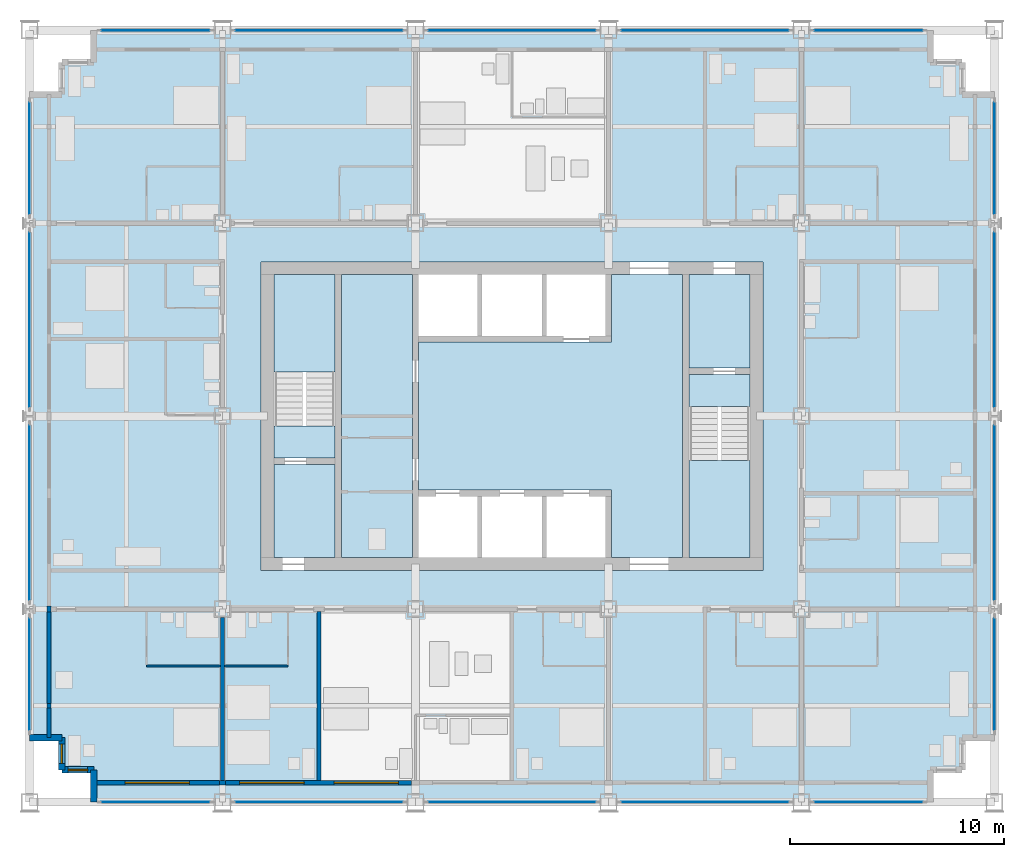
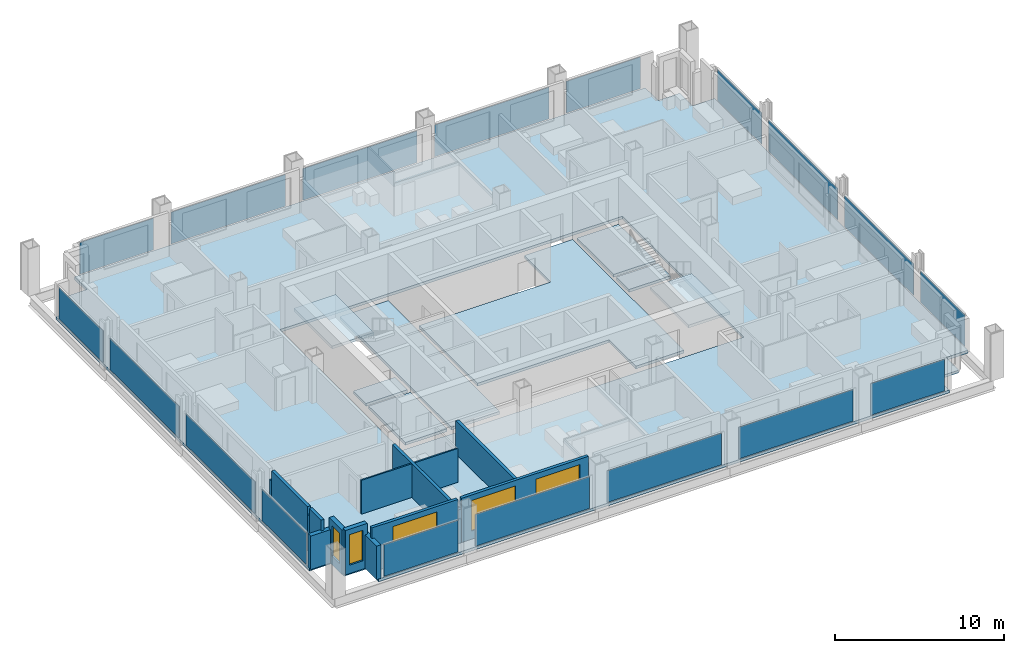
# One storey, part 8 of 16: 18 plates, 15 walls, 9 slabs, 5 windows, 5 openings, 20 elements without a shape of their own.
"""IFC4 building model written with IfcOpenShell, lengths in metres."""

from ifc_helpers import new_model, si_unit, direction, frame, frame_2d, origin, origin_2d, place, context, subcontext, project, spatial, polyline, rectangle, outline, extrude, material, layer, layer_set, type_object, element, fill, aggregate, save


model = new_model("IFC4")

# Units and contexts
model_context = context("Model", 3, precision=1e-05, world=origin(), true_north=direction((0.0, 1.0)))
body_context = subcontext(model_context, "Body", "Model", "MODEL_VIEW")
ifc_project = project(units=[si_unit("LENGTHUNIT", "METRE"), si_unit("AREAUNIT", "SQUARE_METRE"), si_unit("VOLUMEUNIT", "CUBIC_METRE"), si_unit("PLANEANGLEUNIT", "RADIAN"), si_unit("MASSUNIT", "GRAM", prefix="KILO")], contexts=[model_context])

# Site, building, storey
site_placement = place(None, origin())
site = spatial("IfcSite", under=ifc_project, at=site_placement, CompositionType="ELEMENT")
building_placement = place(site_placement, origin())
building = spatial("IfcBuilding", under=site, at=building_placement, Name="Loomwork Tower", CompositionType="ELEMENT")
storey_placement = place(building_placement, frame((0.0, 0.0, 124.800048828125)))
storey = spatial("IfcBuildingStorey", under=building, at=storey_placement, Name="L33", CompositionType="ELEMENT", Elevation=124.800048828125)

# Slabs
ifc_material_1 = material(Name="Concrete 5000 psi (34 MPa) on composite metal deck", Category="concrete")
ifc_layer_1 = layer(ifc_material_1, 0.199951171875)
ifc_layer_set_1 = layer_set([ifc_layer_1], Name="Floor slab 200")
slab_type_1 = type_object("IfcSlabType", Name="Floor slab 200", PredefinedType="FLOOR", material=ifc_layer_set_1)
slab_1_placement = place(storey_placement, frame((0.0, 0.0, -0.199951171875)))
element("IfcSlab", 1, at=slab_1_placement, inside=storey, type_object=slab_type_1, Name="Floor slab L33", PredefinedType="FLOOR", context=body_context, shape_type="SweptSolid", body=[
    extrude(outline(polyline([(3.0, 1.5), (1.5, 1.5), (1.5, 3.0), (0.0, 3.0), (0.0, 33.0), (1.5, 33.0), (1.5, 34.5), (3.0, 34.5), (3.0, 36.0), (42.0, 36.0), (42.0, 34.5), (43.5, 34.5), (43.5, 33.0), (45.0, 33.0), (45.0, 3.0), (43.5, 3.0), (43.5, 1.5), (42.0, 1.5), (42.0, 0.0), (3.0, 0.0), (3.0, 1.5)]), holes=[polyline([(10.800048828125, 11.39990234375), (10.800048828125, 11.39990234375), (10.800048828125, 10.800048828125), (34.199951171875, 10.800048828125), (34.199951171875, 11.39990234375), (34.199951171875, 11.39990234375), (34.199951171875, 24.60009765625), (34.199951171875, 25.199951171875), (10.800048828125, 25.199951171875), (10.800048828125, 24.60009765625), (10.800048828125, 11.39990234375)])]), origin(), (0.0, 0.0, 1.0), 0.199951171875),
])
slab_2_placement = place(storey_placement, frame((0.0, 0.0, -0.199951171875)))
element("IfcSlab", 2, at=slab_2_placement, inside=storey, type_object=slab_type_1, Name="Floor slab L33", PredefinedType="FLOOR", context=body_context, shape_type="SweptSolid", body=[
    extrude(outline(polyline([(30.449951171875, 24.60009765625), (30.449951171875, 11.39990234375), (27.14990234375, 11.39990234375), (27.14990234375, 14.25), (27.14990234375, 14.550048828125), (18.14990234375, 14.550048828125), (18.14990234375, 21.449951171875), (27.14990234375, 21.449951171875), (27.14990234375, 21.75), (27.14990234375, 24.60009765625), (30.449951171875, 24.60009765625)])), origin(), (0.0, 0.0, 1.0), 0.199951171875),
])
slab_3_placement = place(storey_placement, frame((0.0, 0.0, -0.199951171875)))
element("IfcSlab", 3, at=slab_3_placement, inside=storey, type_object=slab_type_1, Name="Floor slab L33", PredefinedType="FLOOR", context=body_context, shape_type="SweptSolid", body=[
    extrude(outline(polyline([(14.550048828125, 11.39990234375), (14.550048828125, 24.60009765625), (17.85009765625, 24.60009765625), (17.85009765625, 11.39990234375), (14.550048828125, 11.39990234375)])), origin(), (0.0, 0.0, 1.0), 0.199951171875),
])
slab_4_placement = place(storey_placement, frame((0.0, 0.0, -0.199951171875)))
element("IfcSlab", 4, at=slab_4_placement, inside=storey, type_object=slab_type_1, Name="Floor slab L33", PredefinedType="FLOOR", context=body_context, shape_type="SweptSolid", body=[
    extrude(outline(polyline([(33.60009765625, 20.25), (30.75, 20.25), (30.75, 24.60009765625), (33.60009765625, 24.60009765625), (33.60009765625, 20.25)])), origin(), (0.0, 0.0, 1.0), 0.199951171875),
])
slab_5_placement = place(storey_placement, frame((0.0, 0.0, -0.199951171875)))
element("IfcSlab", 5, at=slab_5_placement, inside=storey, type_object=slab_type_1, Name="Floor slab L33", PredefinedType="FLOOR", context=body_context, shape_type="SweptSolid", body=[
    extrude(outline(polyline([(14.25, 15.75), (14.25, 11.39990234375), (11.39990234375, 11.39990234375), (11.39990234375, 15.75), (14.25, 15.75)])), origin(), (0.0, 0.0, 1.0), 0.199951171875),
])

# Curtain wall, plate
ifc_material_2 = material(Name="Aluminium curtain wall frame", Category="aluminium")
curtain_wall_type = type_object("IfcCurtainWallType", Name="Outer skin glazing hotel", PredefinedType="NOTDEFINED", material=ifc_material_2)
curtain_wall_1_placement = place(storey_placement, origin())
curtain_wall_1 = element("IfcCurtainWall", 6, at=curtain_wall_1_placement, inside=storey, type_object=curtain_wall_type, Name="Outer skin glazing hotel cw/S-0", PredefinedType="NOTDEFINED")
ifc_material_3 = material(Name="Clear laminated glass", Category="glass")
ifc_layer_2 = layer(ifc_material_3, 0.02392578125)
ifc_layer_set_2 = layer_set([ifc_layer_2], Name="Outer skin glazing hotel panel")
plate_type = type_object("IfcPlateType", Name="Outer skin glazing hotel panel", PredefinedType="CURTAIN_PANEL", material=ifc_layer_set_2)
plate_1_placement = place(storey_placement, frame((5.875, 0.0, 0.06494140625), z_axis=(0.0, 0.0, 1.0), x_axis=(1.0, 0.0, 0.0)))
plate_1 = element("IfcPlate", 7, at=plate_1_placement, type_object=plate_type, Name="CW1 panel 1.1", PredefinedType="CURTAIN_PANEL", context=body_context, shape_type="SweptSolid", body=[
    extrude(rectangle(XDim=5.050048828125, YDim=0.02392578125, at=origin_2d()), origin(), (0.0, 0.0, 1.0), 2.290283203125),
])
aggregate(curtain_wall_1, [plate_1])

curtain_wall_2_placement = place(storey_placement, origin())
curtain_wall_2 = element("IfcCurtainWall", 8, at=curtain_wall_2_placement, inside=storey, type_object=curtain_wall_type, Name="Outer skin glazing hotel cw/S-9", PredefinedType="NOTDEFINED")
plate_2_placement = place(storey_placement, frame((13.5, 0.0, 0.06494140625), z_axis=(0.0, 0.0, 1.0), x_axis=(1.0, 0.0, 0.0)))
plate_2 = element("IfcPlate", 9, at=plate_2_placement, type_object=plate_type, Name="CW1 panel 1.1", PredefinedType="CURTAIN_PANEL", context=body_context, shape_type="SweptSolid", body=[
    extrude(rectangle(XDim=7.800048828125, YDim=0.02392578125, at=origin_2d()), origin(), (0.0, 0.0, 1.0), 2.290283203125),
])
aggregate(curtain_wall_2, [plate_2])

curtain_wall_3_placement = place(storey_placement, origin())
curtain_wall_3 = element("IfcCurtainWall", 10, at=curtain_wall_3_placement, inside=storey, type_object=curtain_wall_type, Name="Outer skin glazing hotel cw/S-18", PredefinedType="NOTDEFINED")
plate_3_placement = place(storey_placement, frame((22.5, 0.0, 0.06494140625), z_axis=(0.0, 0.0, 1.0), x_axis=(1.0, 0.0, 0.0)))
plate_3 = element("IfcPlate", 11, at=plate_3_placement, type_object=plate_type, Name="CW1 panel 1.1", PredefinedType="CURTAIN_PANEL", context=body_context, shape_type="SweptSolid", body=[
    extrude(rectangle(XDim=7.800048828125, YDim=0.02392578125, at=origin_2d()), origin(), (0.0, 0.0, 1.0), 2.290283203125),
])
aggregate(curtain_wall_3, [plate_3])

curtain_wall_4_placement = place(storey_placement, origin())
curtain_wall_4 = element("IfcCurtainWall", 12, at=curtain_wall_4_placement, inside=storey, type_object=curtain_wall_type, Name="Outer skin glazing hotel cw/S-27", PredefinedType="NOTDEFINED")
plate_4_placement = place(storey_placement, frame((31.5, 0.0, 0.06494140625), z_axis=(0.0, 0.0, 1.0), x_axis=(1.0, 0.0, 0.0)))
plate_4 = element("IfcPlate", 13, at=plate_4_placement, type_object=plate_type, Name="CW1 panel 1.1", PredefinedType="CURTAIN_PANEL", context=body_context, shape_type="SweptSolid", body=[
    extrude(rectangle(XDim=7.800048828125, YDim=0.02392578125, at=origin_2d()), origin(), (0.0, 0.0, 1.0), 2.290283203125),
])
aggregate(curtain_wall_4, [plate_4])

curtain_wall_5_placement = place(storey_placement, origin())
curtain_wall_5 = element("IfcCurtainWall", 14, at=curtain_wall_5_placement, inside=storey, type_object=curtain_wall_type, Name="Outer skin glazing hotel cw/S-36", PredefinedType="NOTDEFINED")
plate_5_placement = place(storey_placement, frame((39.125, 0.0, 0.06494140625), z_axis=(0.0, 0.0, 1.0), x_axis=(1.0, 0.0, 0.0)))
plate_5 = element("IfcPlate", 15, at=plate_5_placement, type_object=plate_type, Name="CW1 panel 1.1", PredefinedType="CURTAIN_PANEL", context=body_context, shape_type="SweptSolid", body=[
    extrude(rectangle(XDim=5.050048828125, YDim=0.02392578125, at=origin_2d()), origin(), (0.0, 0.0, 1.0), 2.290283203125),
])
aggregate(curtain_wall_5, [plate_5])

curtain_wall_6_placement = place(storey_placement, origin())
curtain_wall_6 = element("IfcCurtainWall", 16, at=curtain_wall_6_placement, inside=storey, type_object=curtain_wall_type, Name="Outer skin glazing hotel cw/N-0", PredefinedType="NOTDEFINED")
plate_6_placement = place(storey_placement, frame((5.875, 36.0, 0.06494140625), z_axis=(0.0, 0.0, 1.0), x_axis=(-1.0, 0.0, 0.0)))
plate_6 = element("IfcPlate", 17, at=plate_6_placement, type_object=plate_type, Name="CW1 panel 1.1", PredefinedType="CURTAIN_PANEL", context=body_context, shape_type="SweptSolid", body=[
    extrude(rectangle(XDim=5.050048828125, YDim=0.02392578125, at=origin_2d()), origin(), (0.0, 0.0, 1.0), 2.290283203125),
])
aggregate(curtain_wall_6, [plate_6])

curtain_wall_7_placement = place(storey_placement, origin())
curtain_wall_7 = element("IfcCurtainWall", 18, at=curtain_wall_7_placement, inside=storey, type_object=curtain_wall_type, Name="Outer skin glazing hotel cw/N-9", PredefinedType="NOTDEFINED")
plate_7_placement = place(storey_placement, frame((13.5, 36.0, 0.06494140625), z_axis=(0.0, 0.0, 1.0), x_axis=(-1.0, 0.0, 0.0)))
plate_7 = element("IfcPlate", 19, at=plate_7_placement, type_object=plate_type, Name="CW1 panel 1.1", PredefinedType="CURTAIN_PANEL", context=body_context, shape_type="SweptSolid", body=[
    extrude(rectangle(XDim=7.800048828125, YDim=0.02392578125, at=origin_2d()), origin(), (0.0, 0.0, 1.0), 2.290283203125),
])
aggregate(curtain_wall_7, [plate_7])

curtain_wall_8_placement = place(storey_placement, origin())
curtain_wall_8 = element("IfcCurtainWall", 20, at=curtain_wall_8_placement, inside=storey, type_object=curtain_wall_type, Name="Outer skin glazing hotel cw/N-18", PredefinedType="NOTDEFINED")
plate_8_placement = place(storey_placement, frame((22.5, 36.0, 0.06494140625), z_axis=(0.0, 0.0, 1.0), x_axis=(-1.0, 0.0, 0.0)))
plate_8 = element("IfcPlate", 21, at=plate_8_placement, type_object=plate_type, Name="CW1 panel 1.1", PredefinedType="CURTAIN_PANEL", context=body_context, shape_type="SweptSolid", body=[
    extrude(rectangle(XDim=7.800048828125, YDim=0.02392578125, at=origin_2d()), origin(), (0.0, 0.0, 1.0), 2.290283203125),
])
aggregate(curtain_wall_8, [plate_8])

curtain_wall_9_placement = place(storey_placement, origin())
curtain_wall_9 = element("IfcCurtainWall", 22, at=curtain_wall_9_placement, inside=storey, type_object=curtain_wall_type, Name="Outer skin glazing hotel cw/N-27", PredefinedType="NOTDEFINED")
plate_9_placement = place(storey_placement, frame((31.5, 36.0, 0.06494140625), z_axis=(0.0, 0.0, 1.0), x_axis=(-1.0, 0.0, 0.0)))
plate_9 = element("IfcPlate", 23, at=plate_9_placement, type_object=plate_type, Name="CW1 panel 1.1", PredefinedType="CURTAIN_PANEL", context=body_context, shape_type="SweptSolid", body=[
    extrude(rectangle(XDim=7.800048828125, YDim=0.02392578125, at=origin_2d()), origin(), (0.0, 0.0, 1.0), 2.290283203125),
])
aggregate(curtain_wall_9, [plate_9])

curtain_wall_10_placement = place(storey_placement, origin())
curtain_wall_10 = element("IfcCurtainWall", 24, at=curtain_wall_10_placement, inside=storey, type_object=curtain_wall_type, Name="Outer skin glazing hotel cw/N-36", PredefinedType="NOTDEFINED")
plate_10_placement = place(storey_placement, frame((39.125, 36.0, 0.06494140625), z_axis=(0.0, 0.0, 1.0), x_axis=(-1.0, 0.0, 0.0)))
plate_10 = element("IfcPlate", 25, at=plate_10_placement, type_object=plate_type, Name="CW1 panel 1.1", PredefinedType="CURTAIN_PANEL", context=body_context, shape_type="SweptSolid", body=[
    extrude(rectangle(XDim=5.050048828125, YDim=0.02392578125, at=origin_2d()), origin(), (0.0, 0.0, 1.0), 2.290283203125),
])
aggregate(curtain_wall_10, [plate_10])

curtain_wall_11_placement = place(storey_placement, origin())
curtain_wall_11 = element("IfcCurtainWall", 26, at=curtain_wall_11_placement, inside=storey, type_object=curtain_wall_type, Name="Outer skin glazing hotel cw/W-0", PredefinedType="NOTDEFINED")
plate_11_placement = place(storey_placement, frame((0.0, 5.964599609375, 0.06494140625), z_axis=(0.0, 0.0, 1.0), x_axis=(0.0, -1.0, 0.0)))
plate_11 = element("IfcPlate", 27, at=plate_11_placement, type_object=plate_type, Name="CW1 panel 1.1", PredefinedType="CURTAIN_PANEL", context=body_context, shape_type="SweptSolid", body=[
    extrude(rectangle(XDim=5.22900390625, YDim=0.02392578125, at=origin_2d()), origin(), (0.0, 0.0, 1.0), 2.290283203125),
])
aggregate(curtain_wall_11, [plate_11])

curtain_wall_12_placement = place(storey_placement, origin())
curtain_wall_12 = element("IfcCurtainWall", 28, at=curtain_wall_12_placement, inside=storey, type_object=curtain_wall_type, Name="Outer skin glazing hotel cw/W-9", PredefinedType="NOTDEFINED")
plate_12_placement = place(storey_placement, frame((0.0, 13.5, 0.06494140625), z_axis=(0.0, 0.0, 1.0), x_axis=(0.0, -1.0, 0.0)))
plate_12 = element("IfcPlate", 29, at=plate_12_placement, type_object=plate_type, Name="CW1 panel 1.1", PredefinedType="CURTAIN_PANEL", context=body_context, shape_type="SweptSolid", body=[
    extrude(rectangle(XDim=8.157958984375, YDim=0.02392578125, at=origin_2d()), origin(), (0.0, 0.0, 1.0), 2.290283203125),
])
aggregate(curtain_wall_12, [plate_12])

curtain_wall_13_placement = place(storey_placement, origin())
curtain_wall_13 = element("IfcCurtainWall", 30, at=curtain_wall_13_placement, inside=storey, type_object=curtain_wall_type, Name="Outer skin glazing hotel cw/W-18", PredefinedType="NOTDEFINED")
plate_13_placement = place(storey_placement, frame((0.0, 22.5, 0.06494140625), z_axis=(0.0, 0.0, 1.0), x_axis=(0.0, -1.0, 0.0)))
plate_13 = element("IfcPlate", 31, at=plate_13_placement, type_object=plate_type, Name="CW1 panel 1.1", PredefinedType="CURTAIN_PANEL", context=body_context, shape_type="SweptSolid", body=[
    extrude(rectangle(XDim=8.157958984375, YDim=0.02392578125, at=origin_2d()), origin(), (0.0, 0.0, 1.0), 2.290283203125),
])
aggregate(curtain_wall_13, [plate_13])

curtain_wall_14_placement = place(storey_placement, origin())
curtain_wall_14 = element("IfcCurtainWall", 32, at=curtain_wall_14_placement, inside=storey, type_object=curtain_wall_type, Name="Outer skin glazing hotel cw/W-27", PredefinedType="NOTDEFINED")
plate_14_placement = place(storey_placement, frame((0.0, 30.035400390625, 0.06494140625), z_axis=(0.0, 0.0, 1.0), x_axis=(0.0, -1.0, 0.0)))
plate_14 = element("IfcPlate", 33, at=plate_14_placement, type_object=plate_type, Name="CW1 panel 1.1", PredefinedType="CURTAIN_PANEL", context=body_context, shape_type="SweptSolid", body=[
    extrude(rectangle(XDim=5.22900390625, YDim=0.02392578125, at=origin_2d()), origin(), (0.0, 0.0, 1.0), 2.290283203125),
])
aggregate(curtain_wall_14, [plate_14])

curtain_wall_15_placement = place(storey_placement, origin())
curtain_wall_15 = element("IfcCurtainWall", 34, at=curtain_wall_15_placement, inside=storey, type_object=curtain_wall_type, Name="Outer skin glazing hotel cw/E-0", PredefinedType="NOTDEFINED")
plate_15_placement = place(storey_placement, frame((45.0, 5.964599609375, 0.06494140625), z_axis=(0.0, 0.0, 1.0), x_axis=(0.0, 1.0, 0.0)))
plate_15 = element("IfcPlate", 35, at=plate_15_placement, type_object=plate_type, Name="CW1 panel 1.1", PredefinedType="CURTAIN_PANEL", context=body_context, shape_type="SweptSolid", body=[
    extrude(rectangle(XDim=5.22900390625, YDim=0.02392578125, at=origin_2d()), origin(), (0.0, 0.0, 1.0), 2.290283203125),
])
aggregate(curtain_wall_15, [plate_15])

curtain_wall_16_placement = place(storey_placement, origin())
curtain_wall_16 = element("IfcCurtainWall", 36, at=curtain_wall_16_placement, inside=storey, type_object=curtain_wall_type, Name="Outer skin glazing hotel cw/E-9", PredefinedType="NOTDEFINED")
plate_16_placement = place(storey_placement, frame((45.0, 13.5, 0.06494140625), z_axis=(0.0, 0.0, 1.0), x_axis=(0.0, 1.0, 0.0)))
plate_16 = element("IfcPlate", 37, at=plate_16_placement, type_object=plate_type, Name="CW1 panel 1.1", PredefinedType="CURTAIN_PANEL", context=body_context, shape_type="SweptSolid", body=[
    extrude(rectangle(XDim=8.157958984375, YDim=0.02392578125, at=origin_2d()), origin(), (0.0, 0.0, 1.0), 2.290283203125),
])
aggregate(curtain_wall_16, [plate_16])

curtain_wall_17_placement = place(storey_placement, origin())
curtain_wall_17 = element("IfcCurtainWall", 38, at=curtain_wall_17_placement, inside=storey, type_object=curtain_wall_type, Name="Outer skin glazing hotel cw/E-18", PredefinedType="NOTDEFINED")
plate_17_placement = place(storey_placement, frame((45.0, 22.5, 0.06494140625), z_axis=(0.0, 0.0, 1.0), x_axis=(0.0, 1.0, 0.0)))
plate_17 = element("IfcPlate", 39, at=plate_17_placement, type_object=plate_type, Name="CW1 panel 1.1", PredefinedType="CURTAIN_PANEL", context=body_context, shape_type="SweptSolid", body=[
    extrude(rectangle(XDim=8.157958984375, YDim=0.02392578125, at=origin_2d()), origin(), (0.0, 0.0, 1.0), 2.290283203125),
])
aggregate(curtain_wall_17, [plate_17])

curtain_wall_18_placement = place(storey_placement, origin())
curtain_wall_18 = element("IfcCurtainWall", 40, at=curtain_wall_18_placement, inside=storey, type_object=curtain_wall_type, Name="Outer skin glazing hotel cw/E-27", PredefinedType="NOTDEFINED")
plate_18_placement = place(storey_placement, frame((45.0, 30.035400390625, 0.06494140625), z_axis=(0.0, 0.0, 1.0), x_axis=(0.0, 1.0, 0.0)))
plate_18 = element("IfcPlate", 41, at=plate_18_placement, type_object=plate_type, Name="CW1 panel 1.1", PredefinedType="CURTAIN_PANEL", context=body_context, shape_type="SweptSolid", body=[
    extrude(rectangle(XDim=5.22900390625, YDim=0.02392578125, at=origin_2d()), origin(), (0.0, 0.0, 1.0), 2.290283203125),
])
aggregate(curtain_wall_18, [plate_18])

# Stair, slabs
ifc_material_4 = material(Name="Concrete 5000 psi (34 MPa) precast stair", Category="concrete")
stair_type_1 = type_object("IfcStairType", Name="Stair ST-A 20 risers 2850 wide", PredefinedType="HALF_TURN_STAIR", material=ifc_material_4)
stair_1_placement = place(storey_placement, origin())
stair_1 = element("IfcStair", 42, at=stair_1_placement, inside=storey, type_object=stair_type_1, Name="Stair A L33", PredefinedType="HALF_TURN_STAIR")
ifc_material_5 = material(Name="Concrete 5000 psi (34 MPa)", Category="concrete")
ifc_layer_3 = layer(ifc_material_5, 0.199951171875)
ifc_layer_set_3 = layer_set([ifc_layer_3], Name="Stair landing 200")
slab_type_2 = type_object("IfcSlabType", Name="Stair landing 200", PredefinedType="LANDING", material=ifc_layer_set_3)
slab_6_placement = place(storey_placement, frame((0.0, 0.0, -0.199951171875)))
slab_6 = element("IfcSlab", 43, at=slab_6_placement, type_object=slab_type_2, Name="ST-A landing 1", PredefinedType="LANDING", context=body_context, shape_type="SweptSolid", body=[
    extrude(outline(polyline([(11.39990234375, 16.050048828125), (14.25, 16.050048828125), (14.25, 17.550048828125), (11.39990234375, 17.550048828125), (11.39990234375, 16.050048828125)])), origin(), (0.0, 0.0, 1.0), 0.199951171875),
])
slab_7_placement = place(storey_placement, frame((0.0, 0.0, 1.5)))
slab_7 = element("IfcSlab", 44, at=slab_7_placement, type_object=slab_type_2, Name="ST-A landing 2", PredefinedType="LANDING", context=body_context, shape_type="SweptSolid", body=[
    extrude(outline(polyline([(11.39990234375, 20.070068359375), (14.25, 20.070068359375), (14.25, 24.60009765625), (11.39990234375, 24.60009765625), (11.39990234375, 20.070068359375)])), origin(), (0.0, 0.0, 1.0), 0.199951171875),
])
aggregate(stair_1, [slab_6, slab_7])

ifc_material_6 = material(Name="Concrete 5000 psi (34 MPa) precast stair", Category="concrete")
stair_type_2 = type_object("IfcStairType", Name="Stair ST-B 20 risers 2850 wide", PredefinedType="HALF_TURN_STAIR", material=ifc_material_6)
stair_2_placement = place(storey_placement, origin())
stair_2 = element("IfcStair", 45, at=stair_2_placement, inside=storey, type_object=stair_type_2, Name="Stair B L33", PredefinedType="HALF_TURN_STAIR")
slab_8_placement = place(storey_placement, frame((0.0, 0.0, -0.199951171875)))
slab_8 = element("IfcSlab", 46, at=slab_8_placement, type_object=slab_type_2, Name="ST-B landing 1", PredefinedType="LANDING", context=body_context, shape_type="SweptSolid", body=[
    extrude(outline(polyline([(30.75, 18.449951171875), (33.60009765625, 18.449951171875), (33.60009765625, 19.949951171875), (30.75, 19.949951171875), (30.75, 18.449951171875)])), origin(), (0.0, 0.0, 1.0), 0.199951171875),
])
slab_9_placement = place(storey_placement, frame((0.0, 0.0, 1.5)))
slab_9 = element("IfcSlab", 47, at=slab_9_placement, type_object=slab_type_2, Name="ST-B landing 2", PredefinedType="LANDING", context=body_context, shape_type="SweptSolid", body=[
    extrude(outline(polyline([(30.75, 11.39990234375), (33.60009765625, 11.39990234375), (33.60009765625, 15.929931640625), (30.75, 15.929931640625), (30.75, 11.39990234375)])), origin(), (0.0, 0.0, 1.0), 0.199951171875),
])
aggregate(stair_2, [slab_8, slab_9])

# Walls
ifc_material_7 = material(Name="Cement board on steel studs", Category="steel")
ifc_layer_4 = layer(ifc_material_7, 0.10009765625)
ifc_layer_set_4 = layer_set([ifc_layer_4], Name="En-suite partition 100")
wall_type_1 = type_object("IfcWallType", Name="En-suite partition 100", PredefinedType="PARTITIONING", material=ifc_layer_set_4)
wall_1_placement = place(storey_placement, frame((5.449951171875, 6.35009765625, 0.0), z_axis=(0.0, 0.0, 1.0), x_axis=(1.0, 0.0, 0.0)))
element("IfcWall", 48, at=wall_1_placement, inside=storey, type_object=wall_type_1, Name="En-suite wall L33 room 1", PredefinedType="PARTITIONING", context=body_context, shape_type="SweptSolid", body=[
    extrude(rectangle(XDim=3.449951171875, YDim=0.10009765625, at=frame_2d((1.72509765625, 0.0))), origin(), (0.0, 0.0, 1.0), 2.43798828125),
])
wall_2_placement = place(storey_placement, frame((9.10009765625, 6.35009765625, 0.0), z_axis=(0.0, 0.0, 1.0), x_axis=(1.0, 0.0, 0.0)))
element("IfcWall", 49, at=wall_2_placement, inside=storey, type_object=wall_type_1, Name="En-suite wall L33 room 2", PredefinedType="PARTITIONING", context=body_context, shape_type="SweptSolid", body=[
    extrude(rectangle(XDim=2.949951171875, YDim=0.10009765625, at=frame_2d((1.47509765625, 0.0))), origin(), (0.0, 0.0, 1.0), 2.43798828125),
])
ifc_material_8 = material(Name="Gypsum board on steel studs, acoustic", Category="steel")
ifc_layer_5 = layer(ifc_material_8, 0.199951171875)
ifc_layer_set_5 = layer_set([ifc_layer_5], Name="Guest room party wall 200")
wall_type_2 = type_object("IfcWallType", Name="Guest room party wall 200", PredefinedType="PARTITIONING", material=ifc_layer_set_5)
wall_3_placement = place(storey_placement, frame((9.0, 8.60009765625, 0.0), z_axis=(0.0, 0.0, 1.0), x_axis=(0.0, -1.0, 0.0)))
element("IfcWall", 50, at=wall_3_placement, inside=storey, type_object=wall_type_2, Name="Guest room party wall S 9", PredefinedType="PARTITIONING", context=body_context, shape_type="SweptSolid", body=[
    extrude(rectangle(XDim=7.60009765625, YDim=0.199951171875, at=frame_2d((3.800048828125, 0.0))), origin(), (0.0, 0.0, 1.0), 2.43798828125),
])
wall_4_placement = place(storey_placement, frame((13.5, 8.89990234375, 0.0), z_axis=(0.0, 0.0, 1.0), x_axis=(0.0, -1.0, 0.0)))
element("IfcWall", 51, at=wall_4_placement, inside=storey, type_object=wall_type_2, Name="Guest room party wall S 13.5", PredefinedType="PARTITIONING", context=body_context, shape_type="SweptSolid", body=[
    extrude(rectangle(XDim=7.89990234375, YDim=0.199951171875, at=frame_2d((3.949951171875, 0.0))), origin(), (0.0, 0.0, 1.0), 2.404052734375),
])

# Wall, opening, window
ifc_material_9 = material(Name="Insulated steel stud wall with gypsum lining", Category="steel")
ifc_layer_6 = layer(ifc_material_9, 0.199951171875)
ifc_layer_set_6 = layer_set([ifc_layer_6], Name="Inner skin wall 200")
wall_type_3 = type_object("IfcWallType", Name="Inner skin wall 200", PredefinedType="SOLIDWALL", material=ifc_layer_set_6)
wall_5_placement = place(storey_placement, frame((3.0, 0.89990234375, 0.0), z_axis=(0.0, 0.0, 1.0), x_axis=(1.0, 0.0, 0.0)))
wall_5 = element("IfcWall", 52, at=wall_5_placement, inside=storey, type_object=wall_type_3, Name="Inner skin wall S", PredefinedType="SOLIDWALL", context=body_context, shape_type="SweptSolid", body=[
    extrude(rectangle(XDim=5.86474609375, YDim=0.199951171875, at=frame_2d((2.932373046875, 0.0))), origin(), (0.0, 0.0, 1.0), 3.199951171875),
])
opening_1_placement = place(wall_5_placement, frame((1.449951171875, 0.0, 0.60009765625)))
opening_1 = element("IfcOpeningElement", 53, at=opening_1_placement, cuts=wall_5, Name="Opening CH1", PredefinedType="OPENING", context=body_context, shape_type="SweptSolid", body=[
    extrude(rectangle(XDim=3.0, YDim=2.199951171875, at=frame_2d((1.5, 1.10009765625))), frame((0.0, 0.10986328125, 0.0), z_axis=(0.0, -1.0, 0.0), x_axis=(1.0, 0.0, 0.0)), (0.0, 0.0, 1.0), 0.219970703125),
])
ifc_material_10 = material(Name="Aluminium frame with clear insulated glass", Category="aluminium")
window_type_1 = type_object("IfcWindowType", Name="Chicago window 3000", PartitioningType="TRIPLE_PANEL_VERTICAL", PredefinedType="WINDOW", material=ifc_material_10)
window_1_placement = place(opening_1_placement, origin())
window_1 = element("IfcWindow", 54, at=window_1_placement, inside=storey, type_object=window_type_1, Name="Chicago window L33 bay 1", OverallHeight=2.199951171875, OverallWidth=3.0, PartitioningType="TRIPLE_PANEL_VERTICAL", PredefinedType="WINDOW", context=body_context, shape_type="SweptSolid", body=[
    extrude(rectangle(XDim=3.0, YDim=2.199951171875, at=frame_2d((1.5, 1.10009765625))), frame((0.0, 0.030029296875, 0.0), z_axis=(0.0, -1.0, 0.0), x_axis=(1.0, 0.0, 0.0)), (0.0, 0.0, 1.0), 0.06005859375),
])
fill(opening_1, window_1)

# Walls
wall_6_placement = place(storey_placement, frame((0.89990234375, 3.0, 0.0), z_axis=(0.0, 0.0, 1.0), x_axis=(0.0, 1.0, 0.0)))
element("IfcWall", 55, at=wall_6_placement, inside=storey, type_object=wall_type_3, Name="Inner skin wall W", PredefinedType="SOLIDWALL", context=body_context, shape_type="SweptSolid", body=[
    extrude(rectangle(XDim=1.392578125, YDim=0.199951171875, at=frame_2d((0.6962890625, 0.0))), origin(), (0.0, 0.0, 1.0), 3.199951171875),
])
wall_7_placement = place(storey_placement, frame((8.86474609375, 0.89990234375, 0.0), z_axis=(0.0, 0.0, 1.0), x_axis=(1.0, 0.0, 0.0)))
element("IfcWall", 56, at=wall_7_placement, inside=storey, type_object=wall_type_3, Name="Inner skin wall S bay 2", PredefinedType="SOLIDWALL", context=body_context, shape_type="SweptSolid", body=[
    extrude(rectangle(XDim=0.2705078125, YDim=0.199951171875, at=frame_2d((0.13525390625, 0.0))), origin(), (0.0, 0.0, 1.0), 2.43798828125),
])

# Wall, openings, windows
wall_8_placement = place(storey_placement, frame((9.13525390625, 0.89990234375, 0.0), z_axis=(0.0, 0.0, 1.0), x_axis=(1.0, 0.0, 0.0)))
wall_8 = element("IfcWall", 57, at=wall_8_placement, inside=storey, type_object=wall_type_3, Name="Inner skin wall S bay 3", PredefinedType="SOLIDWALL", context=body_context, shape_type="SweptSolid", body=[
    extrude(rectangle(XDim=8.6708984375, YDim=0.199951171875, at=frame_2d((4.33544921875, 0.0))), origin(), (0.0, 0.0, 1.0), 3.199951171875),
])
opening_2_placement = place(wall_8_placement, frame((0.664794921875, 0.0, 0.60009765625)))
opening_2 = element("IfcOpeningElement", 58, at=opening_2_placement, cuts=wall_8, Name="Opening CH1", PredefinedType="OPENING", context=body_context, shape_type="SweptSolid", body=[
    extrude(rectangle(XDim=3.0, YDim=2.199951171875, at=frame_2d((1.5, 1.10009765625))), frame((0.0, 0.10986328125, 0.0), z_axis=(0.0, -1.0, 0.0), x_axis=(1.0, 0.0, 0.0)), (0.0, 0.0, 1.0), 0.219970703125),
])
opening_3_placement = place(wall_8_placement, frame((5.064697265625, 0.0, 0.60009765625)))
opening_3 = element("IfcOpeningElement", 59, at=opening_3_placement, cuts=wall_8, Name="Opening CH1", PredefinedType="OPENING", context=body_context, shape_type="SweptSolid", body=[
    extrude(rectangle(XDim=3.0, YDim=2.199951171875, at=frame_2d((1.5, 1.10009765625))), frame((0.0, 0.10986328125, 0.0), z_axis=(0.0, -1.0, 0.0), x_axis=(1.0, 0.0, 0.0)), (0.0, 0.0, 1.0), 0.219970703125),
])
window_2_placement = place(opening_2_placement, origin())
window_2 = element("IfcWindow", 60, at=window_2_placement, inside=storey, type_object=window_type_1, Name="Chicago window L33 bay 2", OverallHeight=2.199951171875, OverallWidth=3.0, PartitioningType="TRIPLE_PANEL_VERTICAL", PredefinedType="WINDOW", context=body_context, shape_type="SweptSolid", body=[
    extrude(rectangle(XDim=3.0, YDim=2.199951171875, at=frame_2d((1.5, 1.10009765625))), frame((0.0, 0.030029296875, 0.0), z_axis=(0.0, -1.0, 0.0), x_axis=(1.0, 0.0, 0.0)), (0.0, 0.0, 1.0), 0.06005859375),
])
fill(opening_2, window_2)
window_3_placement = place(opening_3_placement, origin())
window_3 = element("IfcWindow", 61, at=window_3_placement, inside=storey, type_object=window_type_1, Name="Chicago window L33 bay 2", OverallHeight=2.199951171875, OverallWidth=3.0, PartitioningType="TRIPLE_PANEL_VERTICAL", PredefinedType="WINDOW", context=body_context, shape_type="SweptSolid", body=[
    extrude(rectangle(XDim=3.0, YDim=2.199951171875, at=frame_2d((1.5, 1.10009765625))), frame((0.0, 0.030029296875, 0.0), z_axis=(0.0, -1.0, 0.0), x_axis=(1.0, 0.0, 0.0)), (0.0, 0.0, 1.0), 0.06005859375),
])
fill(opening_3, window_3)

# Walls
wall_9_placement = place(storey_placement, frame((0.89990234375, 4.392578125, 0.0), z_axis=(0.0, 0.0, 1.0), x_axis=(0.0, 1.0, 0.0)))
element("IfcWall", 62, at=wall_9_placement, inside=storey, type_object=wall_type_3, Name="Inner skin wall W bay 2", PredefinedType="SOLIDWALL", context=body_context, shape_type="SweptSolid", body=[
    extrude(rectangle(XDim=0.21484375, YDim=0.199951171875, at=frame_2d((0.107421875, 0.0))), origin(), (0.0, 0.0, 1.0), 2.660888671875),
])
wall_10_placement = place(storey_placement, frame((0.89990234375, 4.607421875, 0.0), z_axis=(0.0, 0.0, 1.0), x_axis=(0.0, 1.0, 0.0)))
element("IfcWall", 63, at=wall_10_placement, inside=storey, type_object=wall_type_3, Name="Inner skin wall W bay 3", PredefinedType="SOLIDWALL", context=body_context, shape_type="SweptSolid", body=[
    extrude(rectangle(XDim=4.25732421875, YDim=0.199951171875, at=frame_2d((2.128662109375, 0.0))), origin(), (0.0, 0.0, 1.0), 3.199951171875),
])
wall_11_placement = place(storey_placement, frame((0.89990234375, 8.86474609375, 0.0), z_axis=(0.0, 0.0, 1.0), x_axis=(0.0, 1.0, 0.0)))
element("IfcWall", 64, at=wall_11_placement, inside=storey, type_object=wall_type_3, Name="Inner skin wall W bay 4", PredefinedType="SOLIDWALL", context=body_context, shape_type="SweptSolid", body=[
    extrude(rectangle(XDim=0.2705078125, YDim=0.199951171875, at=frame_2d((0.13525390625, 0.0))), origin(), (0.0, 0.0, 1.0), 2.43798828125),
])
ifc_material_11 = material(Name="Limestone on concrete masonry", Category="masonry")
ifc_layer_7 = layer(ifc_material_11, 0.300048828125)
ifc_layer_set_7 = layer_set([ifc_layer_7], Name="Limestone corner wall 300")
wall_type_4 = type_object("IfcWallType", Name="Limestone corner wall 300", PredefinedType="SOLIDWALL", material=ifc_layer_set_7)
wall_12_placement = place(storey_placement, frame((0.0, 3.0, 0.0), z_axis=(0.0, 0.0, 1.0), x_axis=(1.0, 0.0, 0.0)))
element("IfcWall", 65, at=wall_12_placement, inside=storey, type_object=wall_type_4, Name="Stone corner wall SW 1", PredefinedType="SOLIDWALL", context=body_context, shape_type="SweptSolid", body=[
    extrude(rectangle(XDim=1.5, YDim=0.300048828125, at=frame_2d((0.75, 0.0))), origin(), (0.0, 0.0, 1.0), 2.419921875),
])

# Wall, opening, window
wall_13_placement = place(storey_placement, frame((1.5, 3.0, 0.0), z_axis=(0.0, 0.0, 1.0), x_axis=(0.0, -1.0, 0.0)))
wall_13 = element("IfcWall", 66, at=wall_13_placement, inside=storey, type_object=wall_type_4, Name="Stone corner wall SW 2", PredefinedType="SOLIDWALL", context=body_context, shape_type="SweptSolid", body=[
    extrude(rectangle(XDim=1.5, YDim=0.300048828125, at=frame_2d((0.75, 0.0))), origin(), (0.0, 0.0, 1.0), 3.199951171875),
])
opening_4_placement = place(wall_13_placement, frame((0.300048828125, 0.0, 0.60009765625)))
opening_4 = element("IfcOpeningElement", 67, at=opening_4_placement, cuts=wall_13, Name="Opening CH2", PredefinedType="OPENING", context=body_context, shape_type="SweptSolid", body=[
    extrude(rectangle(XDim=0.89990234375, YDim=2.199951171875, at=frame_2d((0.449951171875, 1.10009765625))), frame((0.0, 0.159912109375, 0.0), z_axis=(0.0, -1.0, 0.0), x_axis=(1.0, 0.0, 0.0)), (0.0, 0.0, 1.0), 0.320068359375),
])
ifc_material_12 = material(Name="Aluminium frame with clear insulated glass", Category="aluminium")
window_type_2 = type_object("IfcWindowType", Name="Corner window 900", PartitioningType="SINGLE_PANEL", PredefinedType="WINDOW", material=ifc_material_12)
window_4_placement = place(opening_4_placement, origin())
window_4 = element("IfcWindow", 68, at=window_4_placement, inside=storey, type_object=window_type_2, Name="Corner window SW", OverallHeight=2.199951171875, OverallWidth=0.89990234375, PartitioningType="SINGLE_PANEL", PredefinedType="WINDOW", context=body_context, shape_type="SweptSolid", body=[
    extrude(rectangle(XDim=0.89990234375, YDim=2.199951171875, at=frame_2d((0.449951171875, 1.10009765625))), frame((0.0, 0.030029296875, 0.0), z_axis=(0.0, -1.0, 0.0), x_axis=(1.0, 0.0, 0.0)), (0.0, 0.0, 1.0), 0.06005859375),
])
fill(opening_4, window_4)

wall_14_placement = place(storey_placement, frame((1.5, 1.5, 0.0), z_axis=(0.0, 0.0, 1.0), x_axis=(1.0, 0.0, 0.0)))
wall_14 = element("IfcWall", 69, at=wall_14_placement, inside=storey, type_object=wall_type_4, Name="Stone corner wall SW 3", PredefinedType="SOLIDWALL", context=body_context, shape_type="SweptSolid", body=[
    extrude(rectangle(XDim=1.5, YDim=0.300048828125, at=frame_2d((0.75, 0.0))), origin(), (0.0, 0.0, 1.0), 3.199951171875),
])
opening_5_placement = place(wall_14_placement, frame((0.300048828125, 0.0, 0.60009765625)))
opening_5 = element("IfcOpeningElement", 70, at=opening_5_placement, cuts=wall_14, Name="Opening CH2", PredefinedType="OPENING", context=body_context, shape_type="SweptSolid", body=[
    extrude(rectangle(XDim=0.89990234375, YDim=2.199951171875, at=frame_2d((0.449951171875, 1.10009765625))), frame((0.0, 0.159912109375, 0.0), z_axis=(0.0, -1.0, 0.0), x_axis=(1.0, 0.0, 0.0)), (0.0, 0.0, 1.0), 0.320068359375),
])
window_5_placement = place(opening_5_placement, origin())
window_5 = element("IfcWindow", 71, at=window_5_placement, inside=storey, type_object=window_type_2, Name="Corner window SW", OverallHeight=2.199951171875, OverallWidth=0.89990234375, PartitioningType="SINGLE_PANEL", PredefinedType="WINDOW", context=body_context, shape_type="SweptSolid", body=[
    extrude(rectangle(XDim=0.89990234375, YDim=2.199951171875, at=frame_2d((0.449951171875, 1.10009765625))), frame((0.0, 0.030029296875, 0.0), z_axis=(0.0, -1.0, 0.0), x_axis=(1.0, 0.0, 0.0)), (0.0, 0.0, 1.0), 0.06005859375),
])
fill(opening_5, window_5)

# Wall
wall_15_placement = place(storey_placement, frame((3.0, 1.5, 0.0), z_axis=(0.0, 0.0, 1.0), x_axis=(0.0, -1.0, 0.0)))
element("IfcWall", 72, at=wall_15_placement, inside=storey, type_object=wall_type_4, Name="Stone corner wall SW 4", PredefinedType="SOLIDWALL", context=body_context, shape_type="SweptSolid", body=[
    extrude(rectangle(XDim=1.5, YDim=0.300048828125, at=frame_2d((0.75, 0.0))), origin(), (0.0, 0.0, 1.0), 2.419921875),
])

save(model, "model.ifc")
